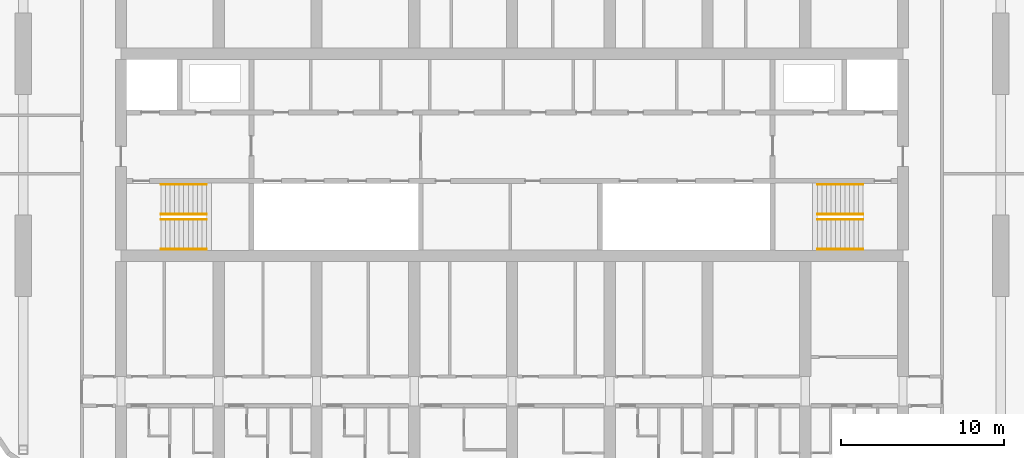
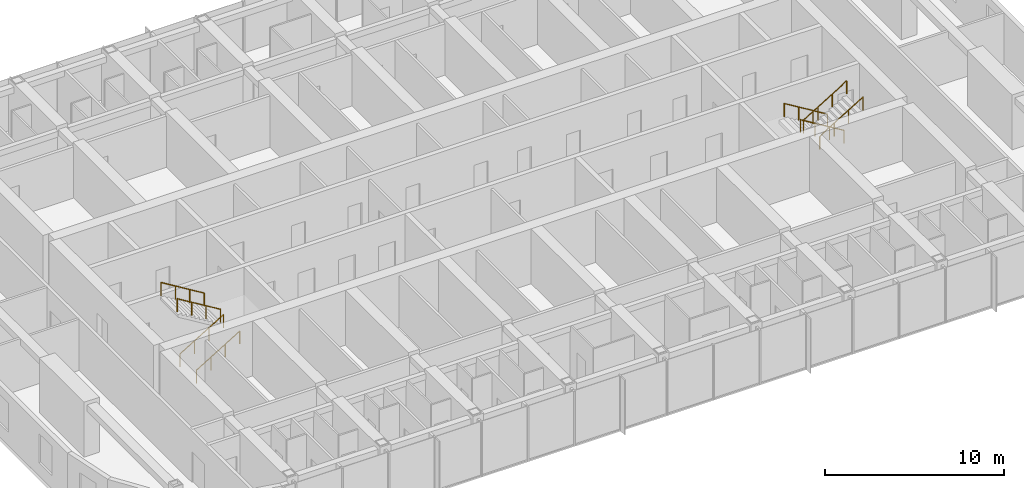
# One storey, part 24 of 24: 8 railings.
"""IFC4 building model written with IfcOpenShell, lengths in metres."""

from ifc_helpers import new_model, si_unit, direction, frame, origin, origin_2d, place, context, subcontext, project, spatial, circle, extrude, material, type_object, element, save


model = new_model("IFC4")

# Units and contexts
model_context = context("Model", 3, precision=1e-05, world=origin(), true_north=direction((0.0, 1.0)))
body_context = subcontext(model_context, "Body", "Model", "MODEL_VIEW")
ifc_project = project(units=[si_unit("LENGTHUNIT", "METRE"), si_unit("AREAUNIT", "SQUARE_METRE"), si_unit("VOLUMEUNIT", "CUBIC_METRE"), si_unit("PLANEANGLEUNIT", "RADIAN"), si_unit("MASSUNIT", "GRAM", prefix="KILO")], contexts=[model_context])

# Site, building, storey
site_placement = place(None, origin())
site = spatial("IfcSite", under=ifc_project, at=site_placement, CompositionType="ELEMENT")
building_placement = place(site_placement, origin())
building = spatial("IfcBuilding", under=site, at=building_placement, Name="Orbita Commons", CompositionType="ELEMENT")
storey_placement = place(building_placement, frame((0.0, 0.0, 239.050048828125)))
storey = spatial("IfcBuildingStorey", under=building, at=storey_placement, Name="L59", CompositionType="ELEMENT", Elevation=239.050048828125)

# Railings
ifc_material = material(Name="Steel tube, painted", Category="steel")
railing_type = type_object("IfcRailingType", Name="Stair handrail steel tube 900", PredefinedType="HANDRAIL", material=ifc_material)
for number, where, name in (
    (1, (20.449951171875, 28.0400390625, 0.17041015625), "Stair S1 handrail L59 flight 1"),
    (2, (20.449951171875, 26.2099609375, 0.17041015625), "Stair S1 handrail L59 flight 1"),
):
    element("IfcRailing", number, at=place(storey_placement, frame(where)), inside=storey, type_object=railing_type, Name=name, PredefinedType="HANDRAIL", context=body_context, shape_type="SweptSolid", body=[
        extrude(circle(Radius=0.02099609375, at=origin_2d()), frame((0.0, 0.0, 0.87890625), z_axis=(0.854169791009, 0.0, 0.51999420009), x_axis=(0.0, 1.0, 0.0)), (0.0, 0.0, 1.0), 3.278076171875),
        extrude(circle(Radius=0.02001953125, at=origin_2d()), origin(), (0.0, 0.0, 1.0), 0.85791015625),
        extrude(circle(Radius=0.02001953125, at=origin_2d()), frame((0.933349609375, 0.0, 0.568115234375)), (0.0, 0.0, 1.0), 0.85791015625),
        extrude(circle(Radius=0.02001953125, at=origin_2d()), frame((1.86669921875, 0.0, 1.136474609375)), (0.0, 0.0, 1.0), 0.85791015625),
        extrude(circle(Radius=0.02001953125, at=origin_2d()), frame((2.800048828125, 0.0, 1.70458984375)), (0.0, 0.0, 1.0), 0.85791015625),
    ])
for number, where, name in (
    (3, (23.25, 28.360107421875, 2.04541015625), "Stair S1 handrail L59 flight 2"),
    (4, (23.25, 30.18994140625, 2.04541015625), "Stair S1 handrail L59 flight 2"),
    (5, (63.550048828125, 28.360107421875, 0.17041015625), "Stair S2 handrail L59 flight 1"),
    (6, (63.550048828125, 30.18994140625, 0.17041015625), "Stair S2 handrail L59 flight 1"),
):
    element("IfcRailing", number, at=place(storey_placement, frame(where)), inside=storey, type_object=railing_type, Name=name, PredefinedType="HANDRAIL", context=body_context, shape_type="SweptSolid", body=[
        extrude(circle(Radius=0.02099609375, at=origin_2d()), frame((0.0, 0.0, 0.87890625), z_axis=(-0.854169791009, 0.0, 0.51999420009), x_axis=(0.0, -1.0, 0.0)), (0.0, 0.0, 1.0), 3.278076171875),
        extrude(circle(Radius=0.02001953125, at=origin_2d()), origin(), (0.0, 0.0, 1.0), 0.85791015625),
        extrude(circle(Radius=0.02001953125, at=origin_2d()), frame((-0.933349609375, 0.0, 0.568115234375)), (0.0, 0.0, 1.0), 0.85791015625),
        extrude(circle(Radius=0.02001953125, at=origin_2d()), frame((-1.86669921875, 0.0, 1.136474609375)), (0.0, 0.0, 1.0), 0.85791015625),
        extrude(circle(Radius=0.02001953125, at=origin_2d()), frame((-2.800048828125, 0.0, 1.70458984375)), (0.0, 0.0, 1.0), 0.85791015625),
    ])
for number, where, name in (
    (7, (60.75, 28.0400390625, 2.04541015625), "Stair S2 handrail L59 flight 2"),
    (8, (60.75, 26.2099609375, 2.04541015625), "Stair S2 handrail L59 flight 2"),
):
    element("IfcRailing", number, at=place(storey_placement, frame(where)), inside=storey, type_object=railing_type, Name=name, PredefinedType="HANDRAIL", context=body_context, shape_type="SweptSolid", body=[
        extrude(circle(Radius=0.02099609375, at=origin_2d()), frame((0.0, 0.0, 0.87890625), z_axis=(0.854169791009, 0.0, 0.51999420009), x_axis=(0.0, 1.0, 0.0)), (0.0, 0.0, 1.0), 3.278076171875),
        extrude(circle(Radius=0.02001953125, at=origin_2d()), origin(), (0.0, 0.0, 1.0), 0.85791015625),
        extrude(circle(Radius=0.02001953125, at=origin_2d()), frame((0.933349609375, 0.0, 0.568115234375)), (0.0, 0.0, 1.0), 0.85791015625),
        extrude(circle(Radius=0.02001953125, at=origin_2d()), frame((1.86669921875, 0.0, 1.136474609375)), (0.0, 0.0, 1.0), 0.85791015625),
        extrude(circle(Radius=0.02001953125, at=origin_2d()), frame((2.800048828125, 0.0, 1.70458984375)), (0.0, 0.0, 1.0), 0.85791015625),
    ])

save(model, "model.ifc")
